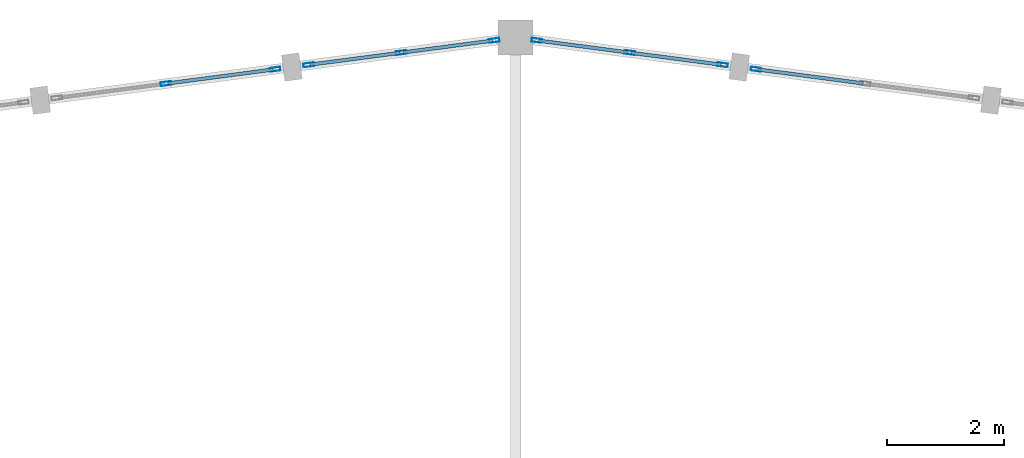
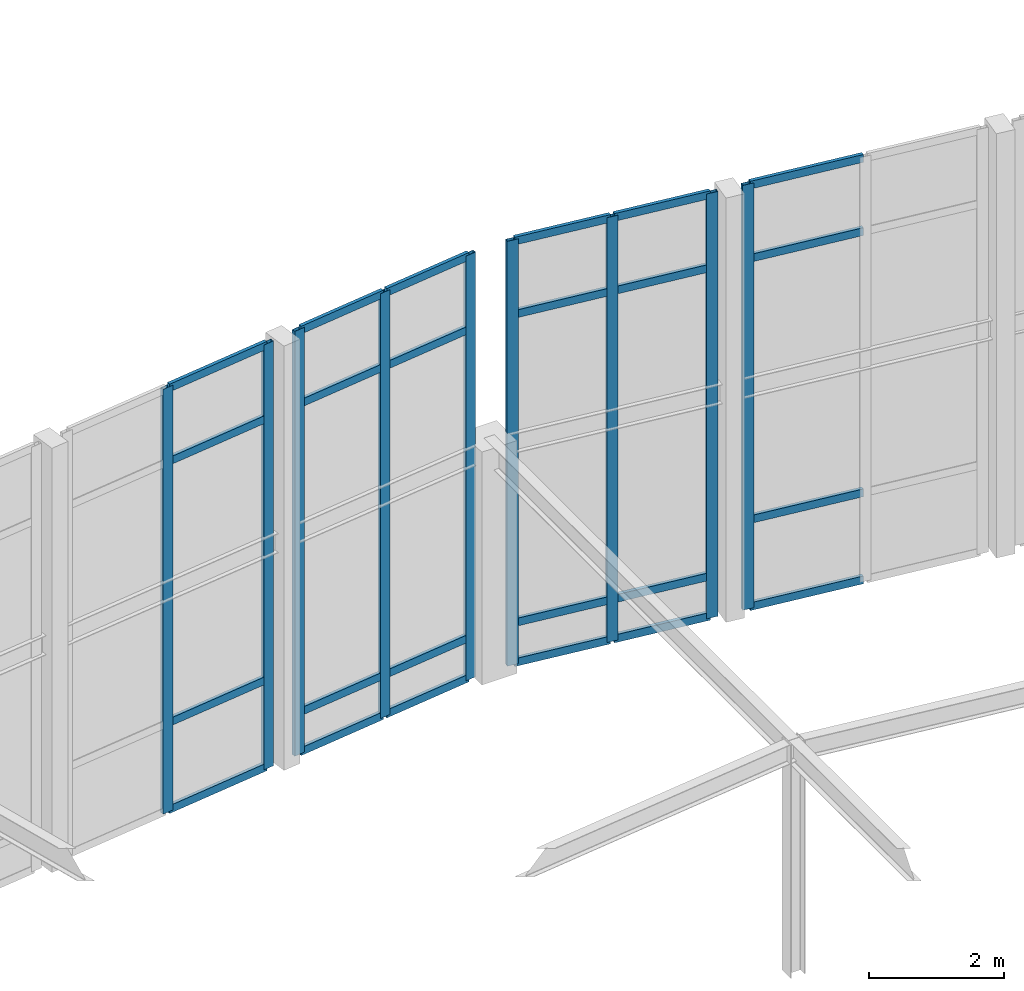
# One storey, part 53 of 93: 33 members, 4 elements without a shape of their own.
"""IFC4 building model written with IfcOpenShell, lengths in metres."""

from ifc_helpers import new_model, si_unit, direction, frame, origin, origin_2d, place, context, subcontext, project, spatial, hollow_rectangle, extrude, material, material_profile, profile_set, type_object, element, aggregate, save


model = new_model("IFC4")

# Units and contexts
model_context = context("Model", 3, precision=1e-05, world=origin(), true_north=direction((0.0, 1.0)))
body_context = subcontext(model_context, "Body", "Model", "MODEL_VIEW")
ifc_project = project(units=[si_unit("LENGTHUNIT", "METRE"), si_unit("AREAUNIT", "SQUARE_METRE"), si_unit("VOLUMEUNIT", "CUBIC_METRE"), si_unit("PLANEANGLEUNIT", "RADIAN"), si_unit("MASSUNIT", "GRAM", prefix="KILO")], contexts=[model_context])

# Site, building, storey
site_placement = place(None, origin())
site = spatial("IfcSite", under=ifc_project, at=site_placement, CompositionType="ELEMENT")
building_placement = place(site_placement, origin())
building = spatial("IfcBuilding", under=site, at=building_placement, Name="Vondelvale Polytechnic", CompositionType="ELEMENT")
storey_placement = place(building_placement, frame((0.0, 0.0, 18.0)))
storey = spatial("IfcBuildingStorey", under=building, at=storey_placement, Name="L04", CompositionType="ELEMENT", Elevation=18.0)

# Curtain wall, member
ifc_material_1 = material(Name="Glulam GL18 structural Tasmanian oak (fb = 42 MPa)", Category="wood")
curtain_wall_type = type_object("IfcCurtainWallType", Name="CW-RING-OUTER", PredefinedType="NOTDEFINED", material=ifc_material_1)
curtain_wall_1_placement = place(storey_placement, origin())
curtain_wall_1 = element("IfcCurtainWall", 1, at=curtain_wall_1_placement, inside=storey, type_object=curtain_wall_type, Name="L04 architectural curtain wall CW-04-149", PredefinedType="NOTDEFINED")
ifc_material_2 = material(Name="Anodised extruded aluminium 6063-T6", Category="aluminium")
ifc_material_profile_1 = material_profile(ifc_material_2, hollow_rectangle(XDim=0.06494140625, YDim=0.179931640625, WallThickness=0.00390625, at=origin_2d()), Name="CW-MUL-180x65")
ifc_profile_set_1 = profile_set([ifc_material_profile_1], Name="Anodised extruded aluminium 6063-T6")
member_type_1 = type_object("IfcMemberType", Name="CW-MUL-65x180", PredefinedType="MULLION", material=ifc_profile_set_1)
member_1_placement = place(storey_placement, frame((106.0947265625, 117.4609375, 0.0), z_axis=(0.0, 0.0, 1.0), x_axis=(-0.130497251349, -0.991448671082, 0.0)))
member_1 = element("IfcMember", 2, at=member_1_placement, type_object=member_type_1, Name="CW-04-149 mullion 3", PredefinedType="MULLION", context=body_context, shape_type="SweptSolid", body=[
    extrude(hollow_rectangle(XDim=0.06494140625, YDim=0.179931640625, WallThickness=0.00390625, at=origin_2d()), origin(), (0.0, 0.0, 1.0), 7.661376953125),
])

# Curtain wall, members
curtain_wall_2_placement = place(storey_placement, origin())
curtain_wall_2 = element("IfcCurtainWall", 3, at=curtain_wall_2_placement, inside=storey, type_object=curtain_wall_type, Name="L04 architectural curtain wall CW-04-150", PredefinedType="NOTDEFINED")
member_2_placement = place(storey_placement, frame((105.524658203125, 117.535888671875, 0.0), z_axis=(0.0, 0.0, 1.0), x_axis=(-0.130539547729, -0.991443102996, 0.0)))
member_2 = element("IfcMember", 4, at=member_2_placement, type_object=member_type_1, Name="CW-04-150 mullion 1", PredefinedType="MULLION", context=body_context, shape_type="SweptSolid", body=[
    extrude(hollow_rectangle(XDim=0.06494140625, YDim=0.179931640625, WallThickness=0.00390625, at=origin_2d()), origin(), (0.0, 0.0, 1.0), 7.661376953125),
])
member_3_placement = place(storey_placement, frame((103.943359375, 117.744140625, 0.0), z_axis=(0.0, 0.0, 1.0), x_axis=(-0.130539547729, -0.991443102996, 0.0)))
member_3 = element("IfcMember", 5, at=member_3_placement, type_object=member_type_1, Name="CW-04-150 mullion 2", PredefinedType="MULLION", context=body_context, shape_type="SweptSolid", body=[
    extrude(hollow_rectangle(XDim=0.06494140625, YDim=0.179931640625, WallThickness=0.00390625, at=origin_2d()), origin(), (0.0, 0.0, 1.0), 7.661376953125),
])
member_4_placement = place(storey_placement, frame((102.362060546875, 117.952392578125, 0.0), z_axis=(0.0, 0.0, 1.0), x_axis=(-0.130539547729, -0.991443102996, 0.0)))
member_4 = element("IfcMember", 6, at=member_4_placement, type_object=member_type_1, Name="CW-04-150 mullion 3", PredefinedType="MULLION", context=body_context, shape_type="SweptSolid", body=[
    extrude(hollow_rectangle(XDim=0.06494140625, YDim=0.179931640625, WallThickness=0.00390625, at=origin_2d()), origin(), (0.0, 0.0, 1.0), 7.661376953125),
])

curtain_wall_3_placement = place(storey_placement, origin())
curtain_wall_3 = element("IfcCurtainWall", 7, at=curtain_wall_3_placement, inside=storey, type_object=curtain_wall_type, Name="L04 architectural curtain wall CW-04-168", PredefinedType="NOTDEFINED")
member_5_placement = place(storey_placement, frame((101.637939453125, 117.952392578125, 0.0), z_axis=(0.0, 0.0, 1.0), x_axis=(0.130539547729, -0.991443102996, 0.0)))
member_5 = element("IfcMember", 8, at=member_5_placement, type_object=member_type_1, Name="CW-04-168 mullion 1", PredefinedType="MULLION", context=body_context, shape_type="SweptSolid", body=[
    extrude(hollow_rectangle(XDim=0.06494140625, YDim=0.179931640625, WallThickness=0.00390625, at=origin_2d()), origin(), (0.0, 0.0, 1.0), 7.661376953125),
])
member_6_placement = place(storey_placement, frame((100.056640625, 117.744140625, 0.0), z_axis=(0.0, 0.0, 1.0), x_axis=(0.130539547729, -0.991443102996, 0.0)))
member_6 = element("IfcMember", 9, at=member_6_placement, type_object=member_type_1, Name="CW-04-168 mullion 2", PredefinedType="MULLION", context=body_context, shape_type="SweptSolid", body=[
    extrude(hollow_rectangle(XDim=0.06494140625, YDim=0.179931640625, WallThickness=0.00390625, at=origin_2d()), origin(), (0.0, 0.0, 1.0), 7.661376953125),
])
member_7_placement = place(storey_placement, frame((98.475341796875, 117.535888671875, 0.0), z_axis=(0.0, 0.0, 1.0), x_axis=(0.130539547729, -0.991443102996, 0.0)))
member_7 = element("IfcMember", 10, at=member_7_placement, type_object=member_type_1, Name="CW-04-168 mullion 3", PredefinedType="MULLION", context=body_context, shape_type="SweptSolid", body=[
    extrude(hollow_rectangle(XDim=0.06494140625, YDim=0.179931640625, WallThickness=0.00390625, at=origin_2d()), origin(), (0.0, 0.0, 1.0), 7.661376953125),
])

curtain_wall_4_placement = place(storey_placement, origin())
curtain_wall_4 = element("IfcCurtainWall", 11, at=curtain_wall_4_placement, inside=storey, type_object=curtain_wall_type, Name="L04 architectural curtain wall CW-04-169", PredefinedType="NOTDEFINED")
member_8_placement = place(storey_placement, frame((97.9052734375, 117.4609375, 0.0), z_axis=(0.0, 0.0, 1.0), x_axis=(0.130497251349, -0.991448671082, 0.0)))
member_8 = element("IfcMember", 12, at=member_8_placement, type_object=member_type_1, Name="CW-04-169 mullion 1", PredefinedType="MULLION", context=body_context, shape_type="SweptSolid", body=[
    extrude(hollow_rectangle(XDim=0.06494140625, YDim=0.179931640625, WallThickness=0.00390625, at=origin_2d()), origin(), (0.0, 0.0, 1.0), 7.661376953125),
])
member_9_placement = place(storey_placement, frame((96.047119140625, 117.21630859375, 0.0), z_axis=(0.0, 0.0, 1.0), x_axis=(0.130497251349, -0.991448671082, 0.0)))
member_9 = element("IfcMember", 13, at=member_9_placement, type_object=member_type_1, Name="CW-04-169 mullion 2", PredefinedType="MULLION", context=body_context, shape_type="SweptSolid", body=[
    extrude(hollow_rectangle(XDim=0.06494140625, YDim=0.179931640625, WallThickness=0.00390625, at=origin_2d()), origin(), (0.0, 0.0, 1.0), 7.661376953125),
])

# Member
ifc_material_profile_2 = material_profile(ifc_material_2, hollow_rectangle(XDim=0.06005859375, YDim=0.139892578125, WallThickness=0.00341796875, at=origin_2d()), Name="CW-TRN-140x60")
ifc_profile_set_2 = profile_set([ifc_material_profile_2], Name="Anodised extruded aluminium 6063-T6")
member_type_2 = type_object("IfcMemberType", Name="CW-TRN-60x140", PredefinedType="USERDEFINED", material=ifc_profile_set_2)
member_10_placement = place(storey_placement, frame((107.920654296875, 117.220458984375, 0.030029296875), z_axis=(-0.991449242357, 0.130492911033, 0.0), x_axis=(-0.130492911033, -0.991449242357, 0.0)))
member_10 = element("IfcMember", 14, at=member_10_placement, type_object=member_type_2, Name="CW-04-149 transom 2.1", ObjectType="TRANSOM", PredefinedType="USERDEFINED", context=body_context, shape_type="SweptSolid", body=[
    extrude(hollow_rectangle(XDim=0.06005859375, YDim=0.139892578125, WallThickness=0.00341796875, at=origin_2d()), origin(), (0.0, 0.0, 1.0), 1.80908203125),
])

member_11_placement = place(storey_placement, frame((107.920654296875, 117.220458984375, 1.60009765625), z_axis=(-0.991449242357, 0.130492911033, 0.0), x_axis=(-0.130492911033, -0.991449242357, 0.0)))
member_11 = element("IfcMember", 15, at=member_11_placement, type_object=member_type_2, Name="CW-04-149 transom 2.2", ObjectType="TRANSOM", PredefinedType="USERDEFINED", context=body_context, shape_type="SweptSolid", body=[
    extrude(hollow_rectangle(XDim=0.06005859375, YDim=0.139892578125, WallThickness=0.00341796875, at=origin_2d()), origin(), (0.0, 0.0, 1.0), 1.80908203125),
])

member_12_placement = place(storey_placement, frame((107.920654296875, 117.220458984375, 6.311279296875), z_axis=(-0.991449242357, 0.130492911033, 0.0), x_axis=(-0.130492911033, -0.991449242357, 0.0)))
member_12 = element("IfcMember", 16, at=member_12_placement, type_object=member_type_2, Name="CW-04-149 transom 2.3", ObjectType="TRANSOM", PredefinedType="USERDEFINED", context=body_context, shape_type="SweptSolid", body=[
    extrude(hollow_rectangle(XDim=0.06005859375, YDim=0.139892578125, WallThickness=0.00341796875, at=origin_2d()), origin(), (0.0, 0.0, 1.0), 1.80908203125),
])

member_13_placement = place(storey_placement, frame((107.920654296875, 117.220458984375, 7.63134765625), z_axis=(-0.991449242357, 0.130492911033, 0.0), x_axis=(-0.130492911033, -0.991449242357, 0.0)))
member_13 = element("IfcMember", 17, at=member_13_placement, type_object=member_type_2, Name="CW-04-149 transom 2.4", ObjectType="TRANSOM", PredefinedType="USERDEFINED", context=body_context, shape_type="SweptSolid", body=[
    extrude(hollow_rectangle(XDim=0.06005859375, YDim=0.139892578125, WallThickness=0.00341796875, at=origin_2d()), origin(), (0.0, 0.0, 1.0), 1.80908203125),
])

aggregate(curtain_wall_1, [member_1, member_10, member_11, member_12, member_13])

member_14_placement = place(storey_placement, frame((105.49267578125, 117.540283203125, 0.030029296875), z_axis=(-0.991446691045, 0.130512293736, 0.0), x_axis=(-0.130512293736, -0.991446691045, 0.0)))
member_14 = element("IfcMember", 18, at=member_14_placement, type_object=member_type_2, Name="CW-04-150 transom 1.1", ObjectType="TRANSOM", PredefinedType="USERDEFINED", context=body_context, shape_type="SweptSolid", body=[
    extrude(hollow_rectangle(XDim=0.06005859375, YDim=0.139892578125, WallThickness=0.00341796875, at=origin_2d()), origin(), (0.0, 0.0, 1.0), 1.5302734375),
])

member_15_placement = place(storey_placement, frame((105.49267578125, 117.540283203125, 0.75), z_axis=(-0.991446691045, 0.130512293736, 0.0), x_axis=(-0.130512293736, -0.991446691045, 0.0)))
member_15 = element("IfcMember", 19, at=member_15_placement, type_object=member_type_2, Name="CW-04-150 transom 1.2", ObjectType="TRANSOM", PredefinedType="USERDEFINED", context=body_context, shape_type="SweptSolid", body=[
    extrude(hollow_rectangle(XDim=0.06005859375, YDim=0.139892578125, WallThickness=0.00341796875, at=origin_2d()), origin(), (0.0, 0.0, 1.0), 1.5302734375),
])

member_16_placement = place(storey_placement, frame((105.49267578125, 117.540283203125, 6.311279296875), z_axis=(-0.991446691045, 0.130512293736, 0.0), x_axis=(-0.130512293736, -0.991446691045, 0.0)))
member_16 = element("IfcMember", 20, at=member_16_placement, type_object=member_type_2, Name="CW-04-150 transom 1.3", ObjectType="TRANSOM", PredefinedType="USERDEFINED", context=body_context, shape_type="SweptSolid", body=[
    extrude(hollow_rectangle(XDim=0.06005859375, YDim=0.139892578125, WallThickness=0.00341796875, at=origin_2d()), origin(), (0.0, 0.0, 1.0), 1.5302734375),
])

member_17_placement = place(storey_placement, frame((105.49267578125, 117.540283203125, 7.63134765625), z_axis=(-0.991446691045, 0.130512293736, 0.0), x_axis=(-0.130512293736, -0.991446691045, 0.0)))
member_17 = element("IfcMember", 21, at=member_17_placement, type_object=member_type_2, Name="CW-04-150 transom 1.4", ObjectType="TRANSOM", PredefinedType="USERDEFINED", context=body_context, shape_type="SweptSolid", body=[
    extrude(hollow_rectangle(XDim=0.06005859375, YDim=0.139892578125, WallThickness=0.00341796875, at=origin_2d()), origin(), (0.0, 0.0, 1.0), 1.5302734375),
])

member_18_placement = place(storey_placement, frame((103.9111328125, 117.748291015625, 0.030029296875), z_axis=(-0.991443972703, 0.130532942165, 0.0), x_axis=(-0.130532942165, -0.991443972703, 0.0)))
member_18 = element("IfcMember", 22, at=member_18_placement, type_object=member_type_2, Name="CW-04-150 transom 2.1", ObjectType="TRANSOM", PredefinedType="USERDEFINED", context=body_context, shape_type="SweptSolid", body=[
    extrude(hollow_rectangle(XDim=0.06005859375, YDim=0.139892578125, WallThickness=0.00341796875, at=origin_2d()), origin(), (0.0, 0.0, 1.0), 1.530029296875),
])

member_19_placement = place(storey_placement, frame((103.9111328125, 117.748291015625, 0.75), z_axis=(-0.991443972703, 0.130532942165, 0.0), x_axis=(-0.130532942165, -0.991443972703, 0.0)))
member_19 = element("IfcMember", 23, at=member_19_placement, type_object=member_type_2, Name="CW-04-150 transom 2.2", ObjectType="TRANSOM", PredefinedType="USERDEFINED", context=body_context, shape_type="SweptSolid", body=[
    extrude(hollow_rectangle(XDim=0.06005859375, YDim=0.139892578125, WallThickness=0.00341796875, at=origin_2d()), origin(), (0.0, 0.0, 1.0), 1.530029296875),
])

member_20_placement = place(storey_placement, frame((103.9111328125, 117.748291015625, 6.311279296875), z_axis=(-0.991443972703, 0.130532942165, 0.0), x_axis=(-0.130532942165, -0.991443972703, 0.0)))
member_20 = element("IfcMember", 24, at=member_20_placement, type_object=member_type_2, Name="CW-04-150 transom 2.3", ObjectType="TRANSOM", PredefinedType="USERDEFINED", context=body_context, shape_type="SweptSolid", body=[
    extrude(hollow_rectangle(XDim=0.06005859375, YDim=0.139892578125, WallThickness=0.00341796875, at=origin_2d()), origin(), (0.0, 0.0, 1.0), 1.530029296875),
])

member_21_placement = place(storey_placement, frame((103.9111328125, 117.748291015625, 7.63134765625), z_axis=(-0.991443972703, 0.130532942165, 0.0), x_axis=(-0.130532942165, -0.991443972703, 0.0)))
member_21 = element("IfcMember", 25, at=member_21_placement, type_object=member_type_2, Name="CW-04-150 transom 2.4", ObjectType="TRANSOM", PredefinedType="USERDEFINED", context=body_context, shape_type="SweptSolid", body=[
    extrude(hollow_rectangle(XDim=0.06005859375, YDim=0.139892578125, WallThickness=0.00341796875, at=origin_2d()), origin(), (0.0, 0.0, 1.0), 1.530029296875),
])

aggregate(curtain_wall_2, [member_2, member_3, member_4, member_14, member_15, member_16, member_17, member_18, member_19, member_20, member_21])

member_22_placement = place(storey_placement, frame((101.605712890625, 117.947998046875, 0.030029296875), z_axis=(-0.991443972703, -0.130532942165, 0.0), x_axis=(0.130532942165, -0.991443972703, 0.0)))
member_22 = element("IfcMember", 26, at=member_22_placement, type_object=member_type_2, Name="CW-04-168 transom 1.1", ObjectType="TRANSOM", PredefinedType="USERDEFINED", context=body_context, shape_type="SweptSolid", body=[
    extrude(hollow_rectangle(XDim=0.06005859375, YDim=0.139892578125, WallThickness=0.00341796875, at=origin_2d()), origin(), (0.0, 0.0, 1.0), 1.530029296875),
])

member_23_placement = place(storey_placement, frame((101.605712890625, 117.947998046875, 0.75), z_axis=(-0.991443972703, -0.130532942165, 0.0), x_axis=(0.130532942165, -0.991443972703, 0.0)))
member_23 = element("IfcMember", 27, at=member_23_placement, type_object=member_type_2, Name="CW-04-168 transom 1.2", ObjectType="TRANSOM", PredefinedType="USERDEFINED", context=body_context, shape_type="SweptSolid", body=[
    extrude(hollow_rectangle(XDim=0.06005859375, YDim=0.139892578125, WallThickness=0.00341796875, at=origin_2d()), origin(), (0.0, 0.0, 1.0), 1.530029296875),
])

member_24_placement = place(storey_placement, frame((101.605712890625, 117.947998046875, 6.311279296875), z_axis=(-0.991443972703, -0.130532942165, 0.0), x_axis=(0.130532942165, -0.991443972703, 0.0)))
member_24 = element("IfcMember", 28, at=member_24_placement, type_object=member_type_2, Name="CW-04-168 transom 1.3", ObjectType="TRANSOM", PredefinedType="USERDEFINED", context=body_context, shape_type="SweptSolid", body=[
    extrude(hollow_rectangle(XDim=0.06005859375, YDim=0.139892578125, WallThickness=0.00341796875, at=origin_2d()), origin(), (0.0, 0.0, 1.0), 1.530029296875),
])

member_25_placement = place(storey_placement, frame((101.605712890625, 117.947998046875, 7.63134765625), z_axis=(-0.991443972703, -0.130532942165, 0.0), x_axis=(0.130532942165, -0.991443972703, 0.0)))
member_25 = element("IfcMember", 29, at=member_25_placement, type_object=member_type_2, Name="CW-04-168 transom 1.4", ObjectType="TRANSOM", PredefinedType="USERDEFINED", context=body_context, shape_type="SweptSolid", body=[
    extrude(hollow_rectangle(XDim=0.06005859375, YDim=0.139892578125, WallThickness=0.00341796875, at=origin_2d()), origin(), (0.0, 0.0, 1.0), 1.530029296875),
])

member_26_placement = place(storey_placement, frame((100.0244140625, 117.739990234375, 0.030029296875), z_axis=(-0.991446691045, -0.130512293736, 0.0), x_axis=(0.130512293736, -0.991446691045, 0.0)))
member_26 = element("IfcMember", 30, at=member_26_placement, type_object=member_type_2, Name="CW-04-168 transom 2.1", ObjectType="TRANSOM", PredefinedType="USERDEFINED", context=body_context, shape_type="SweptSolid", body=[
    extrude(hollow_rectangle(XDim=0.06005859375, YDim=0.139892578125, WallThickness=0.00341796875, at=origin_2d()), origin(), (0.0, 0.0, 1.0), 1.5302734375),
])

member_27_placement = place(storey_placement, frame((100.0244140625, 117.739990234375, 0.75), z_axis=(-0.991446691045, -0.130512293736, 0.0), x_axis=(0.130512293736, -0.991446691045, 0.0)))
member_27 = element("IfcMember", 31, at=member_27_placement, type_object=member_type_2, Name="CW-04-168 transom 2.2", ObjectType="TRANSOM", PredefinedType="USERDEFINED", context=body_context, shape_type="SweptSolid", body=[
    extrude(hollow_rectangle(XDim=0.06005859375, YDim=0.139892578125, WallThickness=0.00341796875, at=origin_2d()), origin(), (0.0, 0.0, 1.0), 1.5302734375),
])

member_28_placement = place(storey_placement, frame((100.0244140625, 117.739990234375, 6.311279296875), z_axis=(-0.991446691045, -0.130512293736, 0.0), x_axis=(0.130512293736, -0.991446691045, 0.0)))
member_28 = element("IfcMember", 32, at=member_28_placement, type_object=member_type_2, Name="CW-04-168 transom 2.3", ObjectType="TRANSOM", PredefinedType="USERDEFINED", context=body_context, shape_type="SweptSolid", body=[
    extrude(hollow_rectangle(XDim=0.06005859375, YDim=0.139892578125, WallThickness=0.00341796875, at=origin_2d()), origin(), (0.0, 0.0, 1.0), 1.5302734375),
])

member_29_placement = place(storey_placement, frame((100.0244140625, 117.739990234375, 7.63134765625), z_axis=(-0.991446691045, -0.130512293736, 0.0), x_axis=(0.130512293736, -0.991446691045, 0.0)))
member_29 = element("IfcMember", 33, at=member_29_placement, type_object=member_type_2, Name="CW-04-168 transom 2.4", ObjectType="TRANSOM", PredefinedType="USERDEFINED", context=body_context, shape_type="SweptSolid", body=[
    extrude(hollow_rectangle(XDim=0.06005859375, YDim=0.139892578125, WallThickness=0.00341796875, at=origin_2d()), origin(), (0.0, 0.0, 1.0), 1.5302734375),
])

aggregate(curtain_wall_3, [member_5, member_6, member_7, member_22, member_23, member_24, member_25, member_26, member_27, member_28, member_29])

member_30_placement = place(storey_placement, frame((97.873046875, 117.45654296875, 0.030029296875), z_axis=(-0.991449242357, -0.130492911033, 0.0), x_axis=(0.130492911033, -0.991449242357, 0.0)))
member_30 = element("IfcMember", 34, at=member_30_placement, type_object=member_type_2, Name="CW-04-169 transom 1.1", ObjectType="TRANSOM", PredefinedType="USERDEFINED", context=body_context, shape_type="SweptSolid", body=[
    extrude(hollow_rectangle(XDim=0.06005859375, YDim=0.139892578125, WallThickness=0.00341796875, at=origin_2d()), origin(), (0.0, 0.0, 1.0), 1.80908203125),
])

member_31_placement = place(storey_placement, frame((97.873046875, 117.45654296875, 1.60009765625), z_axis=(-0.991449242357, -0.130492911033, 0.0), x_axis=(0.130492911033, -0.991449242357, 0.0)))
member_31 = element("IfcMember", 35, at=member_31_placement, type_object=member_type_2, Name="CW-04-169 transom 1.2", ObjectType="TRANSOM", PredefinedType="USERDEFINED", context=body_context, shape_type="SweptSolid", body=[
    extrude(hollow_rectangle(XDim=0.06005859375, YDim=0.139892578125, WallThickness=0.00341796875, at=origin_2d()), origin(), (0.0, 0.0, 1.0), 1.80908203125),
])

member_32_placement = place(storey_placement, frame((97.873046875, 117.45654296875, 6.311279296875), z_axis=(-0.991449242357, -0.130492911033, 0.0), x_axis=(0.130492911033, -0.991449242357, 0.0)))
member_32 = element("IfcMember", 36, at=member_32_placement, type_object=member_type_2, Name="CW-04-169 transom 1.3", ObjectType="TRANSOM", PredefinedType="USERDEFINED", context=body_context, shape_type="SweptSolid", body=[
    extrude(hollow_rectangle(XDim=0.06005859375, YDim=0.139892578125, WallThickness=0.00341796875, at=origin_2d()), origin(), (0.0, 0.0, 1.0), 1.80908203125),
])

member_33_placement = place(storey_placement, frame((97.873046875, 117.45654296875, 7.63134765625), z_axis=(-0.991449242357, -0.130492911033, 0.0), x_axis=(0.130492911033, -0.991449242357, 0.0)))
member_33 = element("IfcMember", 37, at=member_33_placement, type_object=member_type_2, Name="CW-04-169 transom 1.4", ObjectType="TRANSOM", PredefinedType="USERDEFINED", context=body_context, shape_type="SweptSolid", body=[
    extrude(hollow_rectangle(XDim=0.06005859375, YDim=0.139892578125, WallThickness=0.00341796875, at=origin_2d()), origin(), (0.0, 0.0, 1.0), 1.80908203125),
])

aggregate(curtain_wall_4, [member_8, member_9, member_30, member_31, member_32, member_33])

save(model, "model.ifc")
